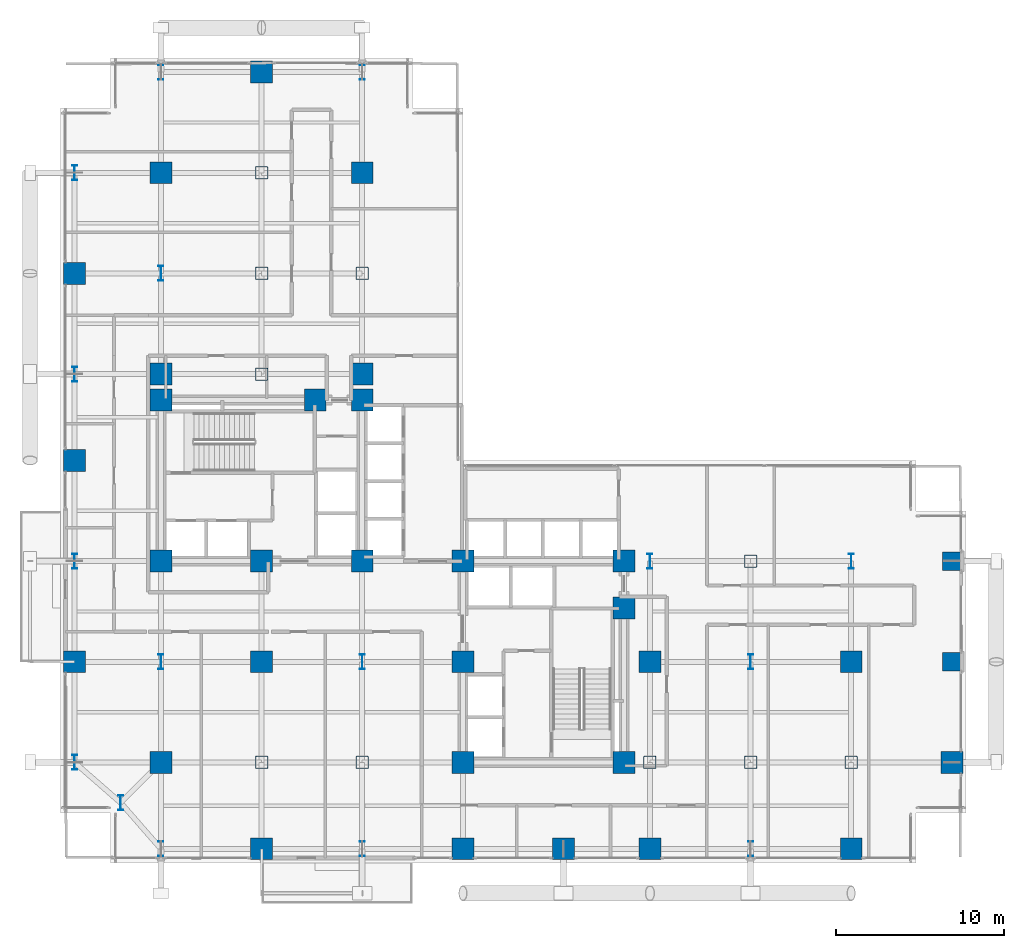
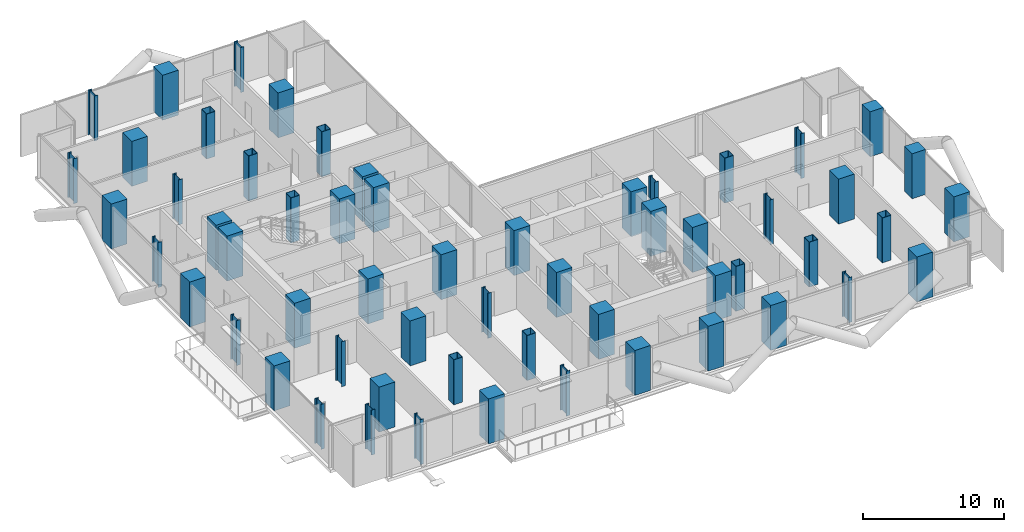
# One storey, part 1 of 25: 58 columns.
"""IFC4 building model written with IfcOpenShell, lengths in metres."""

from ifc_helpers import new_model, si_unit, direction, frame, origin, origin_2d, place, context, subcontext, project, spatial, rectangle, hollow_rectangle, i_section, extrude, material, material_profile, profile_set, type_object, element, save


model = new_model("IFC4")

# Units and contexts
model_context = context("Model", 3, precision=1e-05, world=origin(), true_north=direction((0.0, 1.0)))
body_context = subcontext(model_context, "Body", "Model", "MODEL_VIEW")
ifc_project = project(units=[si_unit("LENGTHUNIT", "METRE"), si_unit("AREAUNIT", "SQUARE_METRE"), si_unit("VOLUMEUNIT", "CUBIC_METRE"), si_unit("PLANEANGLEUNIT", "RADIAN"), si_unit("MASSUNIT", "GRAM", prefix="KILO"), si_unit("THERMODYNAMICTEMPERATUREUNIT", "KELVIN"), si_unit("POWERUNIT", "WATT")], contexts=[model_context])

# Site, building, storey
site_placement = place(None, origin())
site = spatial("IfcSite", under=ifc_project, at=site_placement, CompositionType="ELEMENT")
building_placement = place(site_placement, origin())
building = spatial("IfcBuilding", under=site, at=building_placement, Name="Svarakhadi Broadcast Tower", CompositionType="ELEMENT")
storey_placement = place(building_placement, frame((0.0, 0.0, 63.60009765625)))
storey = spatial("IfcBuildingStorey", under=building, at=storey_placement, Name="L14", CompositionType="ELEMENT", Elevation=63.60009765625)

# Columns
ifc_material_1 = material(Name="Steel S460ML (IS 2062 E450BR)", Category="steel")
ifc_material_profile_1 = material_profile(ifc_material_1, hollow_rectangle(XDim=0.75, YDim=0.75, WallThickness=0.034912109375, InnerFilletRadius=0.034912109375, OuterFilletRadius=0.050048828125, at=origin_2d()), Name="BOX 750x750x35")
ifc_profile_set_1 = profile_set([ifc_material_profile_1], Name="Steel S460ML (IS 2062 E450BR)")
column_type_1 = type_object("IfcColumnType", Name="Col_BOX750", PredefinedType="COLUMN", material=ifc_profile_set_1)
for number, where, z_axis, x_axis, name in (
    (1, (12.0, 6.0, 0.0), (0.0, 0.0, 1.0), (1.0, 0.0, 0.0), "L14 Column G19"),
    (2, (12.0, 29.14990234375, 0.0), (0.0, 0.0, 1.0), (1.0, 0.0, 0.0), "L14 Column G21"),
    (3, (12.0, 35.14990234375, 0.0), (0.0, 0.0, 1.0), (1.0, 0.0, 0.0), "L14 Column G22"),
    (4, (12.0, 41.14990234375, 0.0), (0.0, 0.0, 1.0), (1.0, 0.0, 0.0), "L14 Column G23"),
    (5, (18.0, 6.0, 0.0), (0.0, 0.0, 1.0), (1.0, 0.0, 0.0), "L14 Column G26"),
    (6, (18.0, 35.14990234375, 0.0), (0.0, 0.0, 1.0), (1.0, 0.0, 0.0), "L14 Column G29"),
    (7, (35.14990234375, 6.0, 0.0), (0.0, 0.0, 1.0), (1.0, 0.0, 0.0), "L14 Column G39"),
    (8, (41.14990234375, 6.0, 0.0), (0.0, 0.0, 1.0), (1.0, 0.0, 0.0), "L14 Column G44"),
    (9, (41.14990234375, 18.0, 0.0), (0.0, 0.0, 1.0), (1.0, 0.0, 0.0), "L14 Column G46"),
    (10, (47.14990234375, 6.0, 0.0), (0.0, 0.0, 1.0), (1.0, 0.0, 0.0), "L14 Column G51"),
):
    element("IfcColumn", number, at=place(storey_placement, frame(where, z_axis=z_axis, x_axis=x_axis)), inside=storey, type_object=column_type_1, Name=name, PredefinedType="COLUMN", context=body_context, shape_type="SweptSolid", body=[
        extrude(hollow_rectangle(XDim=0.75, YDim=0.75, WallThickness=0.034912109375, InnerFilletRadius=0.034912109375, OuterFilletRadius=0.050048828125, at=origin_2d()), origin(), (0.0, 0.0, 1.0), 3.89990234375),
    ])
ifc_material_2 = material(Name="Concrete C50/60 (IS 456 M60)", Category="concrete")
ifc_material_profile_2 = material_profile(ifc_material_2, rectangle(XDim=1.10009765625, YDim=1.10009765625, at=origin_2d()), Name="RC 1100x1100")
ifc_profile_set_2 = profile_set([ifc_material_profile_2], Name="Concrete C50/60 (IS 456 M60)")
column_type_2 = type_object("IfcColumnType", Name="Col_RC1100", PredefinedType="COLUMN", material=ifc_profile_set_2)
for number, where, z_axis, x_axis, name in (
    (11, (53.14990234375, 12.0, 0.0), (0.0, 0.0, 1.0), (1.0, 0.0, 0.0), "L14 Zone-1 East Stack Column ZT02"),
    (12, (53.14990234375, 18.0, 0.0), (0.0, 0.0, 1.0), (1.0, 0.0, 0.0), "L14 Zone-1 East Stack Column ZT03"),
):
    element("IfcColumn", number, at=place(storey_placement, frame(where, z_axis=z_axis, x_axis=x_axis)), inside=storey, type_object=column_type_2, Name=name, PredefinedType="COLUMN", context=body_context, shape_type="SweptSolid", body=[
        extrude(rectangle(XDim=1.10009765625, YDim=1.10009765625, at=origin_2d()), origin(), (0.0, 0.0, 1.0), 3.89990234375),
    ])
ifc_material_3 = material(Name="Concrete C60/75 (IS 456 M70)", Category="concrete")
ifc_material_profile_3 = material_profile(ifc_material_3, rectangle(XDim=1.300048828125, YDim=1.300048828125, at=origin_2d()), Name="RC 1300x1300")
ifc_profile_set_3 = profile_set([ifc_material_profile_3], Name="Concrete C60/75 (IS 456 M70)")
column_type_3 = type_object("IfcColumnType", Name="Col_RC1300", PredefinedType="COLUMN", material=ifc_profile_set_3)
for number, where, z_axis, x_axis, name in (
    (13, (6.0, 18.0, 0.0), (0.0, 0.0, 1.0), (1.0, 0.0, 0.0), "L14 Column CW1"),
    (14, (12.0, 18.0, 0.0), (0.0, 0.0, 1.0), (1.0, 0.0, 0.0), "L14 Column CW2"),
    (15, (18.0, 18.0, 0.0), (0.0, 0.0, 1.0), (1.0, 0.0, 0.0), "L14 Column CW3"),
    (16, (6.0, 27.60009765625, 0.0), (0.0, 0.0, 1.0), (1.0, 0.0, 0.0), "L14 Column CW4"),
    (17, (15.199951171875, 27.60009765625, 0.0), (0.0, 0.0, 1.0), (1.0, 0.0, 0.0), "L14 Column CW5"),
    (18, (18.0, 27.60009765625, 0.0), (0.0, 0.0, 1.0), (1.0, 0.0, 0.0), "L14 Column CW6"),
    (19, (24.0, 6.0, 0.0), (0.0, 0.0, 1.0), (1.0, 0.0, 0.0), "L14 Column CE1"),
    (20, (24.0, 12.0, 0.0), (0.0, 0.0, 1.0), (1.0, 0.0, 0.0), "L14 Column CE2"),
    (21, (24.0, 18.0, 0.0), (0.0, 0.0, 1.0), (1.0, 0.0, 0.0), "L14 Column CE3"),
    (22, (33.60009765625, 6.0, 0.0), (0.0, 0.0, 1.0), (1.0, 0.0, 0.0), "L14 Column CE4"),
    (23, (33.60009765625, 15.199951171875, 0.0), (0.0, 0.0, 1.0), (1.0, 0.0, 0.0), "L14 Column CE5"),
    (24, (33.60009765625, 18.0, 0.0), (0.0, 0.0, 1.0), (1.0, 0.0, 0.0), "L14 Column CE6"),
    (25, (0.85009765625, 12.0, 0.0), (0.0, 0.0, 1.0), (1.0, 0.0, 0.0), "L14 Column G04"),
    (26, (0.85009765625, 24.0, 0.0), (0.0, 0.0, 1.0), (1.0, 0.0, 0.0), "L14 Column G06"),
    (27, (0.85009765625, 35.14990234375, 0.0), (0.0, 0.0, 1.0), (1.0, 0.0, 0.0), "L14 Column G08"),
    (28, (6.0, 6.0, 0.0), (0.0, 0.0, 1.0), (1.0, 0.0, 0.0), "L14 Column G12"),
    (29, (6.0, 29.14990234375, 0.0), (0.0, 0.0, 1.0), (1.0, 0.0, 0.0), "L14 Column G14"),
    (30, (6.0, 41.14990234375, 0.0), (0.0, 0.0, 1.0), (1.0, 0.0, 0.0), "L14 Column G16"),
    (31, (12.0, 0.85009765625, 0.0), (0.0, 0.0, 1.0), (1.0, 0.0, 0.0), "L14 Column G18"),
    (32, (12.0, 12.0, 0.0), (0.0, 0.0, 1.0), (1.0, 0.0, 0.0), "L14 Column G20"),
    (33, (12.0, 47.14990234375, 0.0), (0.0, 0.0, 1.0), (1.0, 0.0, 0.0), "L14 Column G24"),
    (34, (18.0, 29.14990234375, 0.0), (0.0, 0.0, 1.0), (1.0, 0.0, 0.0), "L14 Column G28"),
    (35, (18.0, 41.14990234375, 0.0), (0.0, 0.0, 1.0), (1.0, 0.0, 0.0), "L14 Column G30"),
    (36, (24.0, 0.85009765625, 0.0), (0.0, 0.0, 1.0), (1.0, 0.0, 0.0), "L14 Column G32"),
    (37, (30.0, 0.85009765625, 0.0), (0.0, 0.0, 1.0), (1.0, 0.0, 0.0), "L14 Column G36"),
    (38, (35.14990234375, 0.85009765625, 0.0), (0.0, 0.0, 1.0), (1.0, 0.0, 0.0), "L14 Column G38"),
    (39, (35.14990234375, 12.0, 0.0), (0.0, 0.0, 1.0), (1.0, 0.0, 0.0), "L14 Column G40"),
    (40, (47.14990234375, 0.85009765625, 0.0), (0.0, 0.0, 1.0), (1.0, 0.0, 0.0), "L14 Column G50"),
    (41, (47.14990234375, 12.0, 0.0), (0.0, 0.0, 1.0), (1.0, 0.0, 0.0), "L14 Column G52"),
    (42, (53.14990234375, 6.0, 0.0), (0.0, 0.0, 1.0), (1.0, 0.0, 0.0), "L14 Column G58"),
):
    element("IfcColumn", number, at=place(storey_placement, frame(where, z_axis=z_axis, x_axis=x_axis)), inside=storey, type_object=column_type_3, Name=name, PredefinedType="COLUMN", context=body_context, shape_type="SweptSolid", body=[
        extrude(rectangle(XDim=1.300048828125, YDim=1.300048828125, at=origin_2d()), origin(), (0.0, 0.0, 1.0), 3.89990234375),
    ])
ifc_material_profile_4 = material_profile(ifc_material_1, i_section(OverallWidth=0.300048828125, OverallDepth=0.89990234375, WebThickness=0.0185546875, FlangeThickness=0.034912109375, FilletRadius=0.030029296875, at=origin_2d()), Name="WPB 900x300x291")
ifc_profile_set_4 = profile_set([ifc_material_profile_4], Name="Steel S460ML (IS 2062 E450BR)")
column_type_4 = type_object("IfcColumnType", Name="Col_WPB900", PredefinedType="COLUMN", material=ifc_profile_set_4)
for number, where, z_axis, x_axis, name in (
    (43, (3.60009765625, 3.60009765625, 0.0), (0.0, 0.0, 1.0), (1.0, 0.0, 0.0), "L14 Column G01"),
    (44, (0.85009765625, 6.0, 0.0), (0.0, 0.0, 1.0), (1.0, 0.0, 0.0), "L14 Column G03"),
    (45, (0.85009765625, 18.0, 0.0), (0.0, 0.0, 1.0), (1.0, 0.0, 0.0), "L14 Column G05"),
    (46, (0.85009765625, 29.14990234375, 0.0), (0.0, 0.0, 1.0), (1.0, 0.0, 0.0), "L14 Column G07"),
    (47, (0.85009765625, 41.14990234375, 0.0), (0.0, 0.0, 1.0), (1.0, 0.0, 0.0), "L14 Column G09"),
    (48, (6.0, 0.85009765625, 0.0), (0.0, 0.0, 1.0), (1.0, 0.0, 0.0), "L14 Column G11"),
    (49, (6.0, 12.0, 0.0), (0.0, 0.0, 1.0), (1.0, 0.0, 0.0), "L14 Column G13"),
    (50, (6.0, 35.14990234375, 0.0), (0.0, 0.0, 1.0), (1.0, 0.0, 0.0), "L14 Column G15"),
    (51, (6.0, 47.14990234375, 0.0), (0.0, 0.0, 1.0), (1.0, 0.0, 0.0), "L14 Column G17"),
    (52, (18.0, 0.85009765625, 0.0), (0.0, 0.0, 1.0), (1.0, 0.0, 0.0), "L14 Column G25"),
    (53, (18.0, 12.0, 0.0), (0.0, 0.0, 1.0), (1.0, 0.0, 0.0), "L14 Column G27"),
    (54, (18.0, 47.14990234375, 0.0), (0.0, 0.0, 1.0), (1.0, 0.0, 0.0), "L14 Column G31"),
    (55, (35.14990234375, 18.0, 0.0), (0.0, 0.0, 1.0), (1.0, 0.0, 0.0), "L14 Column G41"),
    (56, (41.14990234375, 0.85009765625, 0.0), (0.0, 0.0, 1.0), (1.0, 0.0, 0.0), "L14 Column G43"),
    (57, (41.14990234375, 12.0, 0.0), (0.0, 0.0, 1.0), (1.0, 0.0, 0.0), "L14 Column G45"),
    (58, (47.14990234375, 18.0, 0.0), (0.0, 0.0, 1.0), (1.0, 0.0, 0.0), "L14 Column G53"),
):
    element("IfcColumn", number, at=place(storey_placement, frame(where, z_axis=z_axis, x_axis=x_axis)), inside=storey, type_object=column_type_4, Name=name, PredefinedType="COLUMN", context=body_context, shape_type="SweptSolid", body=[
        extrude(i_section(OverallWidth=0.300048828125, OverallDepth=0.89990234375, WebThickness=0.0185546875, FlangeThickness=0.034912109375, FilletRadius=0.030029296875, at=origin_2d()), origin(), (0.0, 0.0, 1.0), 3.89990234375),
    ])

save(model, "model.ifc")
